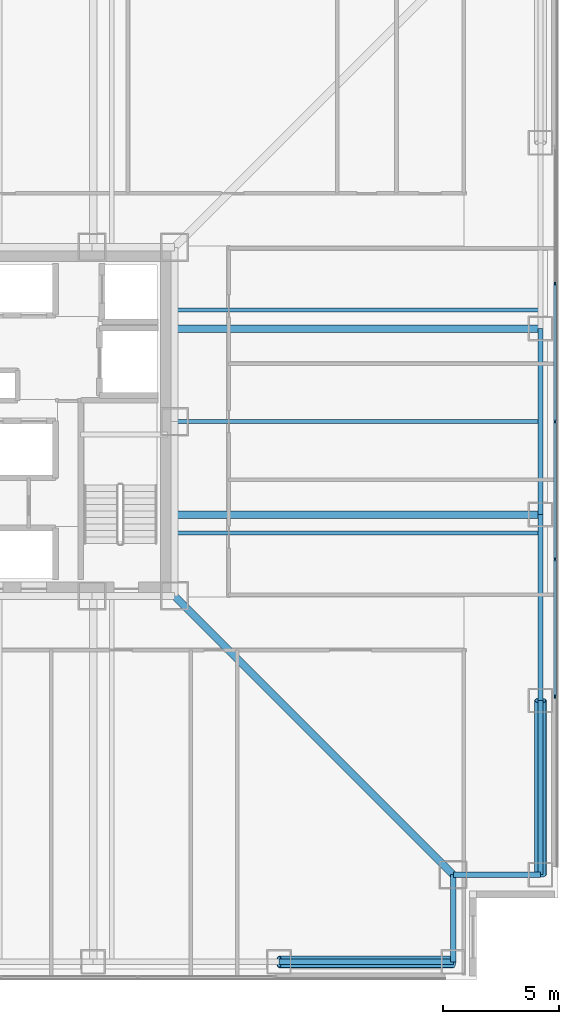
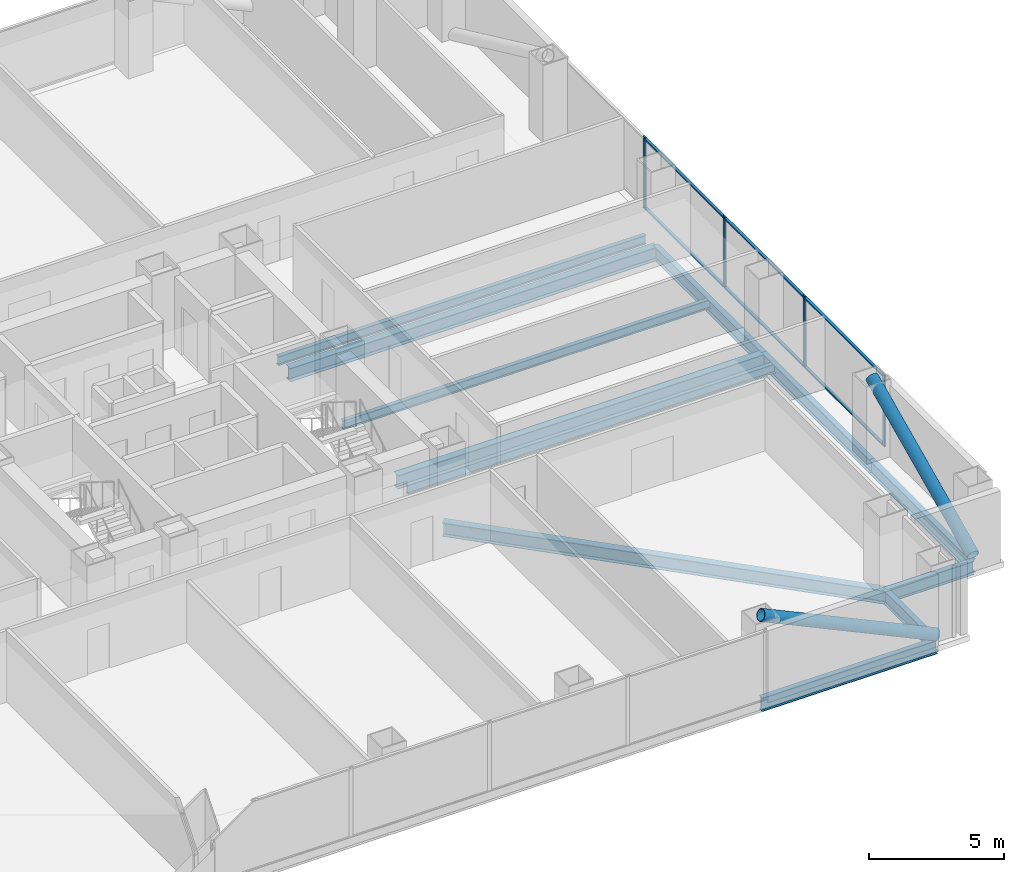
# One storey, part 6 of 15: 12 beams, 12 members, 1 element without a shape of its own.
"""IFC4 building model written with IfcOpenShell, lengths in metres."""

from ifc_helpers import new_model, si_unit, direction, frame, origin, origin_2d, place, context, subcontext, project, spatial, rectangle, hollow_circle, i_section, extrude, material, layer, layer_set, material_profile, profile_set, type_object, element, aggregate, save


model = new_model("IFC4")

# Units and contexts
model_context = context("Model", 3, precision=1e-05, world=origin(), true_north=direction((0.0, 1.0)))
body_context = subcontext(model_context, "Body", "Model", "MODEL_VIEW")
ifc_project = project(units=[si_unit("LENGTHUNIT", "METRE"), si_unit("AREAUNIT", "SQUARE_METRE"), si_unit("VOLUMEUNIT", "CUBIC_METRE"), si_unit("PLANEANGLEUNIT", "RADIAN"), si_unit("MASSUNIT", "GRAM", prefix="KILO")], contexts=[model_context])

# Site, building, storey
site_placement = place(None, origin())
site = spatial("IfcSite", under=ifc_project, at=site_placement, CompositionType="ELEMENT")
building_placement = place(site_placement, origin())
building = spatial("IfcBuilding", under=site, at=building_placement, Name="Trevonay Congress Spire", CompositionType="ELEMENT")
storey_placement = place(building_placement, frame((0.0, 0.0, 44.5)))
storey = spatial("IfcBuildingStorey", under=building, at=storey_placement, Name="L10", CompositionType="ELEMENT", Elevation=44.5)

# Beams
ifc_material_1 = material(Name="Steel ASTM A572 Grade 50", Category="steel")
ifc_material_profile_1 = material_profile(ifc_material_1, i_section(OverallWidth=0.324951171875, OverallDepth=0.615966796875, WebThickness=0.013916015625, FlangeThickness=0.021484375, FilletRadius=0.01806640625, at=origin_2d()), Name="W610x174")
ifc_profile_set_1 = profile_set([ifc_material_profile_1], Name="Steel ASTM A572 Grade 50")
beam_type_1 = type_object("IfcBeamType", Name="BM-GIRD-W610X174", PredefinedType="BEAM", material=ifc_profile_set_1)
beam_1_placement = place(storey_placement, frame((7.5, -7.5, -0.55810546875), z_axis=(0.707106781187, -0.707106781187, 0.0), x_axis=(0.707106781187, 0.707106781187, 0.0)))
element("IfcBeam", 1, at=beam_1_placement, inside=storey, type_object=beam_type_1, Name="L10 structural beam BM-L10-CDSE", PredefinedType="BEAM", context=body_context, shape_type="SweptSolid", body=[
    extrude(i_section(OverallWidth=0.324951171875, OverallDepth=0.615966796875, WebThickness=0.013916015625, FlangeThickness=0.021484375, FilletRadius=0.01806640625, at=origin_2d()), origin(), (0.0, 0.0, 1.0), 16.970458984375),
])
for number, where, z_axis, x_axis, name in (
    (2, (7.5, -4.0, -0.55810546875), (1.0, 0.0, 0.0), (0.0, 1.0, 0.0), "L10 structural beam BM-L10-GE-M"),
    (3, (7.5, 4.0, -0.55810546875), (1.0, 0.0, 0.0), (0.0, 1.0, 0.0), "L10 structural beam BM-L10-GE-P"),
):
    element("IfcBeam", number, at=place(storey_placement, frame(where, z_axis=z_axis, x_axis=x_axis)), inside=storey, type_object=beam_type_1, Name=name, PredefinedType="BEAM", context=body_context, shape_type="SweptSolid", body=[
        extrude(i_section(OverallWidth=0.324951171875, OverallDepth=0.615966796875, WebThickness=0.013916015625, FlangeThickness=0.021484375, FilletRadius=0.01806640625, at=origin_2d()), origin(), (0.0, 0.0, 1.0), 15.75),
    ])
ifc_material_profile_2 = material_profile(ifc_material_1, i_section(OverallWidth=0.22998046875, OverallDepth=0.616943359375, WebThickness=0.01318359375, FlangeThickness=0.022216796875, FilletRadius=0.01611328125, at=origin_2d()), Name="W610x140")
ifc_profile_set_2 = profile_set([ifc_material_profile_2], Name="Steel ASTM A572 Grade 50")
beam_type_2 = type_object("IfcBeamType", Name="BM-RING-W610X140", PredefinedType="BEAM", material=ifc_profile_set_2)
beam_2_placement = place(storey_placement, frame((23.25, -19.5, -0.55859375), z_axis=(0.0, 1.0, 0.0), x_axis=(-1.0, 0.0, 0.0)))
element("IfcBeam", 4, at=beam_2_placement, inside=storey, type_object=beam_type_2, Name="L10 structural beam BM-L10-PE1", PredefinedType="BEAM", context=body_context, shape_type="SweptSolid", body=[
    extrude(i_section(OverallWidth=0.22998046875, OverallDepth=0.616943359375, WebThickness=0.01318359375, FlangeThickness=0.022216796875, FilletRadius=0.01611328125, at=origin_2d()), origin(), (0.0, 0.0, 1.0), 7.5),
])
for number, where, z_axis, x_axis, name in (
    (5, (23.25, -12.0, -0.55859375), (0.0, 1.0, 0.0), (-1.0, 0.0, 0.0), "L10 structural beam BM-L10-PE2"),
    (6, (23.25, -4.0, -0.55859375), (0.0, 1.0, 0.0), (-1.0, 0.0, 0.0), "L10 structural beam BM-L10-PE3"),
):
    element("IfcBeam", number, at=place(storey_placement, frame(where, z_axis=z_axis, x_axis=x_axis)), inside=storey, type_object=beam_type_2, Name=name, PredefinedType="BEAM", context=body_context, shape_type="SweptSolid", body=[
        extrude(i_section(OverallWidth=0.22998046875, OverallDepth=0.616943359375, WebThickness=0.01318359375, FlangeThickness=0.022216796875, FilletRadius=0.01611328125, at=origin_2d()), origin(), (0.0, 0.0, 1.0), 8.0),
    ])
beam_3_placement = place(storey_placement, frame((12.0, -23.25, -0.55859375), z_axis=(1.0, 0.0, 0.0), x_axis=(0.0, 1.0, 0.0)))
element("IfcBeam", 7, at=beam_3_placement, inside=storey, type_object=beam_type_2, Name="L10 structural beam BM-L10-PS5", PredefinedType="BEAM", context=body_context, shape_type="SweptSolid", body=[
    extrude(i_section(OverallWidth=0.22998046875, OverallDepth=0.616943359375, WebThickness=0.01318359375, FlangeThickness=0.022216796875, FilletRadius=0.01611328125, at=origin_2d()), origin(), (0.0, 0.0, 1.0), 7.5),
])
for number, where, z_axis, x_axis, name in (
    (8, (19.5, -23.25, -0.55859375), (0.0, 1.0, 0.0), (-1.0, 0.0, 0.0), "L10 structural beam BM-L10-N1SE"),
    (9, (23.25, -19.5, -0.55859375), (-1.0, 0.0, 0.0), (0.0, -1.0, 0.0), "L10 structural beam BM-L10-N2SE"),
):
    element("IfcBeam", number, at=place(storey_placement, frame(where, z_axis=z_axis, x_axis=x_axis)), inside=storey, type_object=beam_type_2, Name=name, PredefinedType="BEAM", context=body_context, shape_type="SweptSolid", body=[
        extrude(i_section(OverallWidth=0.22998046875, OverallDepth=0.616943359375, WebThickness=0.01318359375, FlangeThickness=0.022216796875, FilletRadius=0.01611328125, at=origin_2d()), origin(), (0.0, 0.0, 1.0), 3.75),
    ])

# Curtain wall, members
ifc_material_2 = material(Name="Pale Anodised Aluminium EN AW-6063-T6", Category="aluminium")
ifc_layer = layer(ifc_material_2, 0.179931640625, Name="Pale Anodised Aluminium EN AW-6063-T6")
ifc_layer_set = layer_set([ifc_layer], Name="Pale Anodised Aluminium EN AW-6063-T6")
curtain_wall_type = type_object("IfcCurtainWallType", Name="CW-SYS02-HOTEL-PALE-METAL", PredefinedType="NOTDEFINED", material=ifc_layer_set)
curtain_wall_placement = place(storey_placement, origin())
curtain_wall = element("IfcCurtainWall", 10, at=curtain_wall_placement, inside=storey, type_object=curtain_wall_type, Name="L10 E unitised curtain wall", PredefinedType="NOTDEFINED")
ifc_material_profile_3 = material_profile(ifc_material_2, rectangle(XDim=0.06005859375, YDim=0.159912109375, at=origin_2d()), Name="CW-MULLION-160-ALUMINIUM")
ifc_profile_set_3 = profile_set([ifc_material_profile_3], Name="Pale Anodised Aluminium EN AW-6063-T6")
member_type_1 = type_object("IfcMemberType", Name="CW-MULLION-160-ALUMINIUM", PredefinedType="MULLION", material=ifc_profile_set_3)
member_1_placement = place(storey_placement, frame((23.8798828125, -11.820068359375, 0.0), z_axis=(0.0, 0.0, 1.0), x_axis=(-1.0, 0.0, 0.0)))
member_1 = element("IfcMember", 11, at=member_1_placement, type_object=member_type_1, Name="CW02 mullion 1", PredefinedType="MULLION", context=body_context, shape_type="SweptSolid", body=[
    extrude(rectangle(XDim=0.06005859375, YDim=0.159912109375, at=origin_2d()), origin(), (0.0, 0.0, 1.0), 3.25),
])
member_2_placement = place(storey_placement, frame((23.8798828125, -5.925048828125, 0.0), z_axis=(0.0, 0.0, 1.0), x_axis=(-1.0, 0.0, 0.0)))
member_2 = element("IfcMember", 12, at=member_2_placement, type_object=member_type_1, Name="CW02 mullion 2", PredefinedType="MULLION", context=body_context, shape_type="SweptSolid", body=[
    extrude(rectangle(XDim=0.06005859375, YDim=0.159912109375, at=origin_2d()), origin(), (0.0, 0.0, 1.0), 3.25),
])
member_3_placement = place(storey_placement, frame((23.8798828125, 0.0, 0.0), z_axis=(0.0, 0.0, 1.0), x_axis=(-1.0, 0.0, 0.0)))
member_3 = element("IfcMember", 13, at=member_3_placement, type_object=member_type_1, Name="CW02 mullion 3", PredefinedType="MULLION", context=body_context, shape_type="SweptSolid", body=[
    extrude(rectangle(XDim=0.06005859375, YDim=0.159912109375, at=origin_2d()), origin(), (0.0, 0.0, 1.0), 3.25),
])
member_4_placement = place(storey_placement, frame((23.8798828125, 5.925048828125, 0.0), z_axis=(0.0, 0.0, 1.0), x_axis=(-1.0, 0.0, 0.0)))
member_4 = element("IfcMember", 14, at=member_4_placement, type_object=member_type_1, Name="CW02 mullion 4", PredefinedType="MULLION", context=body_context, shape_type="SweptSolid", body=[
    extrude(rectangle(XDim=0.06005859375, YDim=0.159912109375, at=origin_2d()), origin(), (0.0, 0.0, 1.0), 3.25),
])
ifc_material_profile_4 = material_profile(ifc_material_2, rectangle(XDim=0.1201171875, YDim=0.06005859375, at=origin_2d()), Name="CW-TRANSOM-120-ALUMINIUM")
ifc_profile_set_4 = profile_set([ifc_material_profile_4], Name="Pale Anodised Aluminium EN AW-6063-T6")
member_type_2 = type_object("IfcMemberType", Name="CW-TRANSOM-120-ALUMINIUM", PredefinedType="USERDEFINED", material=ifc_profile_set_4)
member_5_placement = place(storey_placement, frame((23.8798828125, -11.7900390625, 0.06005859375), z_axis=(0.0, 1.0, 0.0), x_axis=(-1.0, 0.0, 0.0)))
member_5 = element("IfcMember", 15, at=member_5_placement, type_object=member_type_2, Name="CW02 transom 1.1", ObjectType="TRANSOM", PredefinedType="USERDEFINED", context=body_context, shape_type="SweptSolid", body=[
    extrude(rectangle(XDim=0.1201171875, YDim=0.06005859375, at=origin_2d()), origin(), (0.0, 0.0, 1.0), 5.8349609375),
])
member_6_placement = place(storey_placement, frame((23.8798828125, -11.7900390625, 3.18994140625), z_axis=(0.0, 1.0, 0.0), x_axis=(-1.0, 0.0, 0.0)))
member_6 = element("IfcMember", 16, at=member_6_placement, type_object=member_type_2, Name="CW02 transom 1.2", ObjectType="TRANSOM", PredefinedType="USERDEFINED", context=body_context, shape_type="SweptSolid", body=[
    extrude(rectangle(XDim=0.1201171875, YDim=0.06005859375, at=origin_2d()), origin(), (0.0, 0.0, 1.0), 5.8349609375),
])
member_7_placement = place(storey_placement, frame((23.8798828125, -5.89501953125, 0.06005859375), z_axis=(0.0, 1.0, 0.0), x_axis=(-1.0, 0.0, 0.0)))
member_7 = element("IfcMember", 17, at=member_7_placement, type_object=member_type_2, Name="CW02 transom 2.1", ObjectType="TRANSOM", PredefinedType="USERDEFINED", context=body_context, shape_type="SweptSolid", body=[
    extrude(rectangle(XDim=0.1201171875, YDim=0.06005859375, at=origin_2d()), origin(), (0.0, 0.0, 1.0), 5.864990234375),
])
member_8_placement = place(storey_placement, frame((23.8798828125, -5.89501953125, 3.18994140625), z_axis=(0.0, 1.0, 0.0), x_axis=(-1.0, 0.0, 0.0)))
member_8 = element("IfcMember", 18, at=member_8_placement, type_object=member_type_2, Name="CW02 transom 2.2", ObjectType="TRANSOM", PredefinedType="USERDEFINED", context=body_context, shape_type="SweptSolid", body=[
    extrude(rectangle(XDim=0.1201171875, YDim=0.06005859375, at=origin_2d()), origin(), (0.0, 0.0, 1.0), 5.864990234375),
])
member_9_placement = place(storey_placement, frame((23.8798828125, 0.030029296875, 0.06005859375), z_axis=(0.0, 1.0, 0.0), x_axis=(-1.0, 0.0, 0.0)))
member_9 = element("IfcMember", 19, at=member_9_placement, type_object=member_type_2, Name="CW02 transom 3.1", ObjectType="TRANSOM", PredefinedType="USERDEFINED", context=body_context, shape_type="SweptSolid", body=[
    extrude(rectangle(XDim=0.1201171875, YDim=0.06005859375, at=origin_2d()), origin(), (0.0, 0.0, 1.0), 5.864990234375),
])
member_10_placement = place(storey_placement, frame((23.8798828125, 0.030029296875, 3.18994140625), z_axis=(0.0, 1.0, 0.0), x_axis=(-1.0, 0.0, 0.0)))
member_10 = element("IfcMember", 20, at=member_10_placement, type_object=member_type_2, Name="CW02 transom 3.2", ObjectType="TRANSOM", PredefinedType="USERDEFINED", context=body_context, shape_type="SweptSolid", body=[
    extrude(rectangle(XDim=0.1201171875, YDim=0.06005859375, at=origin_2d()), origin(), (0.0, 0.0, 1.0), 5.864990234375),
])
aggregate(curtain_wall, [member_1, member_2, member_3, member_4, member_5, member_6, member_7, member_8, member_9, member_10])

# Beams
ifc_material_profile_5 = material_profile(ifc_material_1, i_section(OverallWidth=0.177978515625, OverallDepth=0.406982421875, WebThickness=0.0078125, FlangeThickness=0.0126953125, FilletRadius=0.012939453125, at=origin_2d()), Name="W410x60")
ifc_profile_set_5 = profile_set([ifc_material_profile_5], Name="Steel ASTM A572 Grade 50")
beam_type_3 = type_object("IfcBeamType", Name="JS-COMP-W410X60", PredefinedType="JOIST", material=ifc_profile_set_5)
for number, where, z_axis, x_axis, name in (
    (21, (7.5, -4.800048828125, -0.45361328125), (1.0, 0.0, 0.0), (0.0, 1.0, 0.0), "L10 structural beam JS-L10-EW-E1"),
    (22, (7.5, 0.0, -0.45361328125), (1.0, 0.0, 0.0), (0.0, 1.0, 0.0), "L10 structural beam JS-L10-EW-E2"),
    (23, (7.5, 4.800048828125, -0.45361328125), (1.0, 0.0, 0.0), (0.0, 1.0, 0.0), "L10 structural beam JS-L10-EW-E3"),
):
    element("IfcBeam", number, at=place(storey_placement, frame(where, z_axis=z_axis, x_axis=x_axis)), inside=storey, type_object=beam_type_3, Name=name, PredefinedType="JOIST", context=body_context, shape_type="SweptSolid", body=[
        extrude(i_section(OverallWidth=0.177978515625, OverallDepth=0.406982421875, WebThickness=0.0078125, FlangeThickness=0.0126953125, FilletRadius=0.012939453125, at=origin_2d()), origin(), (0.0, 0.0, 1.0), 15.75),
    ])

# Members
ifc_material_profile_6 = material_profile(ifc_material_1, hollow_circle(Radius=0.25390625, WallThickness=0.02490234375, at=origin_2d()), Name="CHS 508x25")
ifc_profile_set_6 = profile_set([ifc_material_profile_6], Name="Steel ASTM A572 Grade 50")
member_type_3 = type_object("IfcMemberType", Name="MBR-TUBE-CHS508", PredefinedType="BRACE", material=ifc_profile_set_6)
for number, where, z_axis, x_axis, name in (
    (24, (19.5, -23.25, -0.050048828125), (-0.906183139995, 0.0, 0.422885465331), (0.0, -1.0, 0.0), "L10 perimeter braced-tube diagonal S4"),
    (25, (23.25, -19.5, -0.050048828125), (0.0, 0.906183139995, 0.422885465331), (-1.0, 0.0, 0.0), "L10 perimeter braced-tube diagonal E0"),
):
    element("IfcMember", number, at=place(storey_placement, frame(where, z_axis=z_axis, x_axis=x_axis)), inside=storey, type_object=member_type_3, Name=name, PredefinedType="BRACE", context=body_context, shape_type="SweptSolid", body=[
        extrude(hollow_circle(Radius=0.25390625, WallThickness=0.02490234375, at=origin_2d()), origin(), (0.0, 0.0, 1.0), 8.2763671875),
    ])

save(model, "model.ifc")
